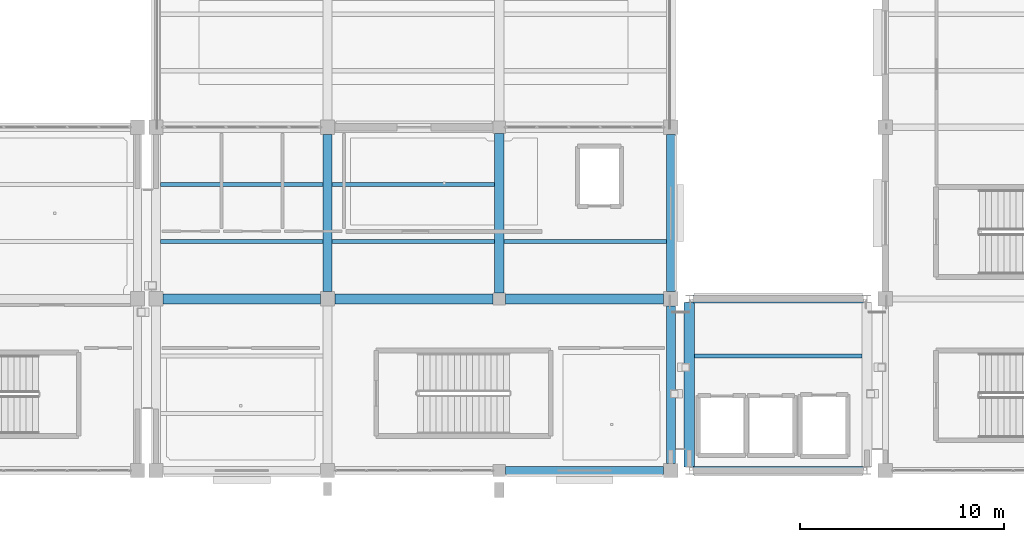
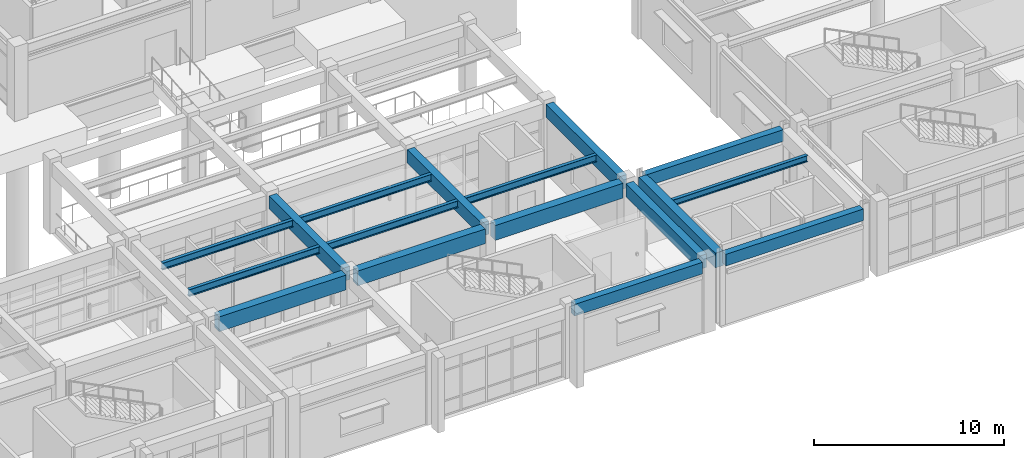
# One storey, part 29 of 98: 17 beams.
"""IFC4 building model written with IfcOpenShell, lengths in metres."""

from ifc_helpers import new_model, si_unit, direction, frame, origin, origin_2d, place, context, subcontext, project, spatial, rectangle, i_section, extrude, material, material_profile, profile_set, type_object, element, save


model = new_model("IFC4")

# Units and contexts
model_context = context("Model", 3, precision=1e-05, world=origin(), true_north=direction((0.0, 1.0)))
body_context = subcontext(model_context, "Body", "Model", "MODEL_VIEW")
ifc_project = project(units=[si_unit("LENGTHUNIT", "METRE"), si_unit("AREAUNIT", "SQUARE_METRE"), si_unit("VOLUMEUNIT", "CUBIC_METRE"), si_unit("PLANEANGLEUNIT", "RADIAN"), si_unit("MASSUNIT", "GRAM", prefix="KILO")], contexts=[model_context])

# Site, building, storey
site_placement = place(None, origin())
site = spatial("IfcSite", under=ifc_project, at=site_placement, CompositionType="ELEMENT")
building_placement = place(site_placement, origin())
building = spatial("IfcBuilding", under=site, at=building_placement, Name="Canglan Escarpment Cableway Terminal", CompositionType="ELEMENT")
storey_placement = place(building_placement, frame((0.0, 0.0, 9.60009765625)))
storey = spatial("IfcBuildingStorey", under=building, at=storey_placement, Name="L02", CompositionType="ELEMENT", Elevation=9.60009765625)

# Beams
ifc_material_1 = material(Name="Concrete C40", Category="concrete")
ifc_material_profile_1 = material_profile(ifc_material_1, rectangle(XDim=0.449951171875, YDim=0.85009765625, at=origin_2d()), Name="RC 450x850")
ifc_profile_set_1 = profile_set([ifc_material_profile_1], Name="Concrete C40")
beam_type_1 = type_object("IfcBeamType", Name="BM-RC450x850", PredefinedType="BEAM", material=ifc_profile_set_1)
beam_1_placement = place(storey_placement, frame((119.89990234375, 16.75, 4.094970703125), z_axis=(0.0, 1.0, 0.0), x_axis=(-1.0, 0.0, 0.0)))
element("IfcBeam", 1, at=beam_1_placement, inside=storey, type_object=beam_type_1, Name="Primary transverse girder B-02", PredefinedType="BEAM", context=body_context, shape_type="SweptSolid", body=[
    extrude(rectangle(XDim=0.449951171875, YDim=0.85009765625, at=origin_2d()), origin(), (0.0, 0.0, 1.0), 7.699951171875),
])
beam_2_placement = place(storey_placement, frame((128.300048828125, 16.699951171875, 4.094970703125), z_axis=(0.0, 1.0, 0.0), x_axis=(-1.0, 0.0, 0.0)))
element("IfcBeam", 2, at=beam_2_placement, inside=storey, type_object=beam_type_1, Name="Primary transverse girder B-02", PredefinedType="BEAM", context=body_context, shape_type="SweptSolid", body=[
    extrude(rectangle(XDim=0.449951171875, YDim=0.85009765625, at=origin_2d()), origin(), (0.0, 0.0, 1.0), 7.800048828125),
])
for number, where, z_axis, x_axis, name in (
    (3, (136.699951171875, 8.35009765625, 4.094970703125), (0.0, 1.0, 0.0), (-1.0, 0.0, 0.0), "Primary transverse girder B-02"),
    (4, (136.699951171875, 16.75, 4.094970703125), (0.0, 1.0, 0.0), (-1.0, 0.0, 0.0), "Primary transverse girder B-02"),
):
    element("IfcBeam", number, at=place(storey_placement, frame(where, z_axis=z_axis, x_axis=x_axis)), inside=storey, type_object=beam_type_1, Name=name, PredefinedType="BEAM", context=body_context, shape_type="SweptSolid", body=[
        extrude(rectangle(XDim=0.449951171875, YDim=0.85009765625, at=origin_2d()), origin(), (0.0, 0.0, 1.0), 7.699951171875),
    ])
ifc_material_2 = material(Name="Concrete C50", Category="concrete")
ifc_material_profile_2 = material_profile(ifc_material_2, rectangle(XDim=0.5, YDim=0.949951171875, at=origin_2d()), Name="RC 500x950")
ifc_profile_set_2 = profile_set([ifc_material_profile_2], Name="Concrete C50")
beam_type_2 = type_object("IfcBeamType", Name="BM-RC500x950", PredefinedType="BEAM", material=ifc_profile_set_2)
beam_3_placement = place(storey_placement, frame((111.85009765625, 16.39990234375, 4.044921875), z_axis=(1.0, 0.0, 0.0), x_axis=(0.0, 1.0, 0.0)))
element("IfcBeam", 5, at=beam_3_placement, inside=storey, type_object=beam_type_2, Name="Primary structural girder B-01", PredefinedType="BEAM", context=body_context, shape_type="SweptSolid", body=[
    extrude(rectangle(XDim=0.5, YDim=0.949951171875, at=origin_2d()), origin(), (0.0, 0.0, 1.0), 7.699951171875),
])
for number, where, z_axis, x_axis, name in (
    (6, (120.25, 16.39990234375, 4.044921875), (1.0, 0.0, 0.0), (0.0, 1.0, 0.0), "Primary structural girder B-01"),
    (7, (128.60009765625, 16.39990234375, 4.044921875), (1.0, 0.0, 0.0), (0.0, 1.0, 0.0), "Primary structural girder B-01"),
):
    element("IfcBeam", number, at=place(storey_placement, frame(where, z_axis=z_axis, x_axis=x_axis)), inside=storey, type_object=beam_type_2, Name=name, PredefinedType="BEAM", context=body_context, shape_type="SweptSolid", body=[
        extrude(rectangle(XDim=0.5, YDim=0.949951171875, at=origin_2d()), origin(), (0.0, 0.0, 1.0), 7.75),
    ])
beam_4_placement = place(storey_placement, frame((137.60009765625, 8.175048828125, 4.044921875), z_axis=(0.0, 1.0, 0.0), x_axis=(-1.0, 0.0, 0.0)))
element("IfcBeam", 8, at=beam_4_placement, inside=storey, type_object=beam_type_2, Name="Primary transverse girder B-01", PredefinedType="BEAM", context=body_context, shape_type="SweptSolid", body=[
    extrude(rectangle(XDim=0.5, YDim=0.949951171875, at=origin_2d()), origin(), (0.0, 0.0, 1.0), 8.050048828125),
])
ifc_material_3 = material(Name="Steel Q355B", Category="steel")
ifc_material_profile_3 = material_profile(ifc_material_3, i_section(OverallWidth=0.199951171875, OverallDepth=0.39990234375, WebThickness=0.008056640625, FlangeThickness=0.012939453125, FilletRadius=0.01611328125, at=origin_2d()), Name="HN 400x200x8x13")
ifc_profile_set_3 = profile_set([ifc_material_profile_3], Name="Steel Q355B")
beam_type_3 = type_object("IfcBeamType", Name="JS-HN400", PredefinedType="JOIST", material=ifc_profile_set_3)
beam_5_placement = place(storey_placement, frame((137.85009765625, 13.60009765625, 4.31982421875), z_axis=(1.0, 0.0, 0.0), x_axis=(0.0, 1.0, 0.0)))
element("IfcBeam", 9, at=beam_5_placement, inside=storey, type_object=beam_type_3, Name="Secondary composite deck joist J-03", PredefinedType="JOIST", context=body_context, shape_type="SweptSolid", body=[
    extrude(i_section(OverallWidth=0.199951171875, OverallDepth=0.39990234375, WebThickness=0.008056640625, FlangeThickness=0.012939453125, FilletRadius=0.01611328125, at=origin_2d()), origin(), (0.0, 0.0, 1.0), 8.199951171875),
])
ifc_material_profile_4 = material_profile(ifc_material_3, i_section(OverallWidth=0.199951171875, OverallDepth=0.449951171875, WebThickness=0.009033203125, FlangeThickness=0.013916015625, FilletRadius=0.01806640625, at=origin_2d()), Name="HN 450x200x9x14")
ifc_profile_set_4 = profile_set([ifc_material_profile_4], Name="Steel Q355B")
beam_type_4 = type_object("IfcBeamType", Name="JS-HN450", PredefinedType="JOIST", material=ifc_profile_set_4)
for number, where, z_axis, x_axis, name in (
    (10, (111.72509765625, 19.199951171875, 4.294921875), (1.0, 0.0, 0.0), (0.0, 1.0, 0.0), "Secondary composite deck joist J-02"),
    (11, (111.72509765625, 22.0, 4.294921875), (1.0, 0.0, 0.0), (0.0, 1.0, 0.0), "Secondary composite deck joist J-02"),
    (12, (120.125, 19.199951171875, 4.294921875), (1.0, 0.0, 0.0), (0.0, 1.0, 0.0), "Secondary composite deck joist J-02"),
    (13, (120.125, 22.0, 4.294921875), (1.0, 0.0, 0.0), (0.0, 1.0, 0.0), "Secondary composite deck joist J-02"),
):
    element("IfcBeam", number, at=place(storey_placement, frame(where, z_axis=z_axis, x_axis=x_axis)), inside=storey, type_object=beam_type_4, Name=name, PredefinedType="JOIST", context=body_context, shape_type="SweptSolid", body=[
        extrude(i_section(OverallWidth=0.199951171875, OverallDepth=0.449951171875, WebThickness=0.009033203125, FlangeThickness=0.013916015625, FilletRadius=0.01806640625, at=origin_2d()), origin(), (0.0, 0.0, 1.0), 7.949951171875),
    ])
beam_6_placement = place(storey_placement, frame((128.52490234375, 19.199951171875, 4.294921875), z_axis=(1.0, 0.0, 0.0), x_axis=(0.0, 1.0, 0.0)))
element("IfcBeam", 14, at=beam_6_placement, inside=storey, type_object=beam_type_4, Name="Secondary composite deck joist J-02", PredefinedType="JOIST", context=body_context, shape_type="SweptSolid", body=[
    extrude(i_section(OverallWidth=0.199951171875, OverallDepth=0.449951171875, WebThickness=0.009033203125, FlangeThickness=0.013916015625, FilletRadius=0.01806640625, at=origin_2d()), origin(), (0.0, 0.0, 1.0), 7.9501953125),
])
ifc_material_profile_5 = material_profile(ifc_material_1, rectangle(XDim=0.39990234375, YDim=0.75, at=origin_2d()), Name="RC 400x750")
ifc_profile_set_5 = profile_set([ifc_material_profile_5], Name="Concrete C40")
beam_type_5 = type_object("IfcBeamType", Name="SP-RC400x750", PredefinedType="SPANDREL", material=ifc_profile_set_5)
beam_7_placement = place(storey_placement, frame((128.60009765625, 8.0, 4.14501953125), z_axis=(1.0, 0.0, 0.0), x_axis=(0.0, 1.0, 0.0)))
element("IfcBeam", 15, at=beam_7_placement, inside=storey, type_object=beam_type_5, Name="Primary structural girder SP-01", PredefinedType="SPANDREL", context=body_context, shape_type="SweptSolid", body=[
    extrude(rectangle(XDim=0.39990234375, YDim=0.75, at=origin_2d()), origin(), (0.0, 0.0, 1.0), 7.75),
])
for number, where, z_axis, x_axis, name in (
    (16, (137.77490234375, 8.0, 4.14501953125), (1.0, 0.0, 0.0), (0.0, 1.0, 0.0), "Primary structural girder SP-01"),
    (17, (137.77490234375, 16.39990234375, 4.14501953125), (1.0, 0.0, 0.0), (0.0, 1.0, 0.0), "Primary structural girder SP-01"),
):
    element("IfcBeam", number, at=place(storey_placement, frame(where, z_axis=z_axis, x_axis=x_axis)), inside=storey, type_object=beam_type_5, Name=name, PredefinedType="SPANDREL", context=body_context, shape_type="SweptSolid", body=[
        extrude(rectangle(XDim=0.39990234375, YDim=0.75, at=origin_2d()), origin(), (0.0, 0.0, 1.0), 8.35009765625),
    ])

save(model, "model.ifc")
